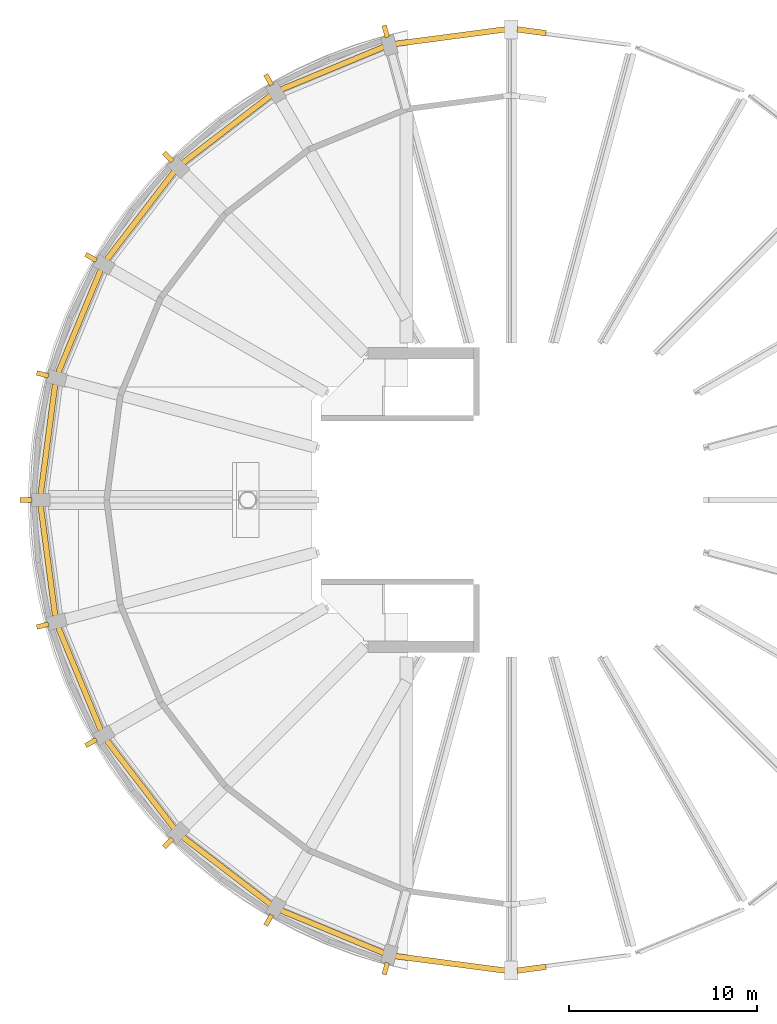
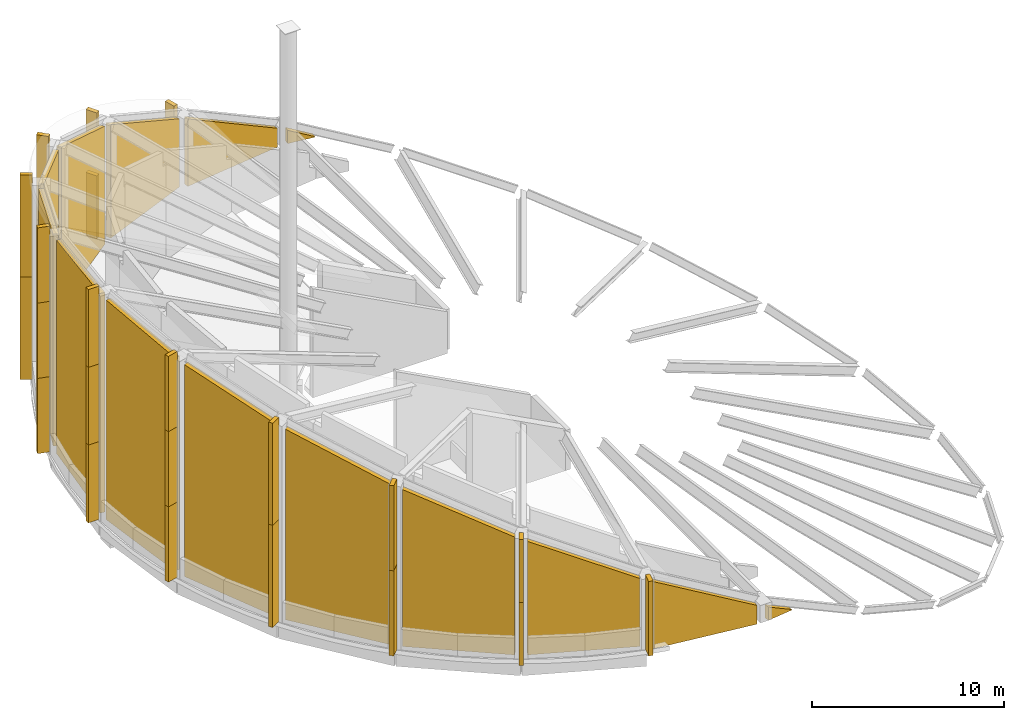
# One storey, part 4 of 4: 23 coverings, 14 shading devices.
"""IFC4 building model written with IfcOpenShell, lengths in metres."""

import ifcopenshell
import ifcopenshell.guid

model = None  # the IFC model being written
_history = None  # IfcOwnerHistory: only IFC2X3 demands one
_inside = {}  # id of a spatial element -> (the spatial element, [elements in it])
_under = {}  # id of a project, library or spatial element -> (it, [spatial elements below it])
_declared = {}  # id of a project -> (the project, [libraries it declares])
_typed = {}  # id of a type object -> (the type object, [elements of that type])
_made_of = {}  # id of a material, layer set ... -> (it, [elements and type objects made of it])


def new_model(schema):
    """Start an empty IFC model of exactly this schema.

    Asked for "IFC4X3", IfcOpenShell would pick the latest addendum, in which some entities
    have other attributes; the version numbers below select the first issue.
    IFC2X3 requires an IfcOwnerHistory on every rooted entity: one is made here for all.
    """
    global model, _history
    if schema == "IFC4X3":
        model = ifcopenshell.file(schema_version=(4, 3, 0, 0))
    else:
        model = ifcopenshell.file(schema=schema)
    _inside.clear()
    _under.clear()
    _declared.clear()
    _typed.clear()
    _made_of.clear()
    _history = None
    if model.schema == "IFC2X3":
        org = make("IfcOrganization", Name="unknown")
        user = make(
            "IfcPersonAndOrganization",
            ThePerson=make("IfcPerson", FamilyName="unknown"),
            TheOrganization=org,
        )
        app = make(
            "IfcApplication",
            ApplicationDeveloper=org,
            Version="unknown",
            ApplicationFullName="unknown",
            ApplicationIdentifier="unknown",
        )
        _history = make(
            "IfcOwnerHistory",
            OwningUser=user,
            OwningApplication=app,
            ChangeAction="ADDED",
            CreationDate=0,
        )
    return model


def make(cls, **values):
    """One entity of the class cls with the attributes given. An attribute that is None is left unset."""
    return model.create_entity(
        cls, **{name: value for name, value in values.items() if value is not None}
    )


def rooted(cls, **values):
    """An entity with a GlobalId (a new one), such as an element, a storey or a relation."""
    return make(cls, GlobalId=ifcopenshell.guid.new(), OwnerHistory=_history, **values)


def si_unit(unit_type, name, prefix=None):
    """IfcSIUnit, for example si_unit("LENGTHUNIT", "METRE", prefix="MILLI")."""
    return make("IfcSIUnit", UnitType=unit_type, Prefix=prefix, Name=name)


def assignment(units):
    """IfcUnitAssignment: the units of a project."""
    return None if units is None else make("IfcUnitAssignment", Units=units)


def point(xyz):
    """IfcCartesianPoint."""
    return None if xyz is None else make("IfcCartesianPoint", Coordinates=xyz)


def direction(xyz):
    """IfcDirection."""
    return None if xyz is None else make("IfcDirection", DirectionRatios=xyz)


def frame(location, z_axis=None, x_axis=None):
    """IfcAxis2Placement3D, a coordinate frame: its origin and axes. An axis left out is left unset."""
    return make(
        "IfcAxis2Placement3D",
        Location=point(location),
        Axis=direction(z_axis),
        RefDirection=direction(x_axis),
    )


def frame_2d(location, x_axis=None):
    """IfcAxis2Placement2D, a coordinate frame in the plane: its origin and x axis."""
    return make(
        "IfcAxis2Placement2D", Location=point(location), RefDirection=direction(x_axis)
    )


def origin():
    """The frame at (0, 0, 0) with its axes left unset."""
    return frame((0.0, 0.0, 0.0))


def origin_2d():
    """The frame at (0, 0) in the plane with its x axis left unset."""
    return frame_2d((0.0, 0.0))


def place(relative_to, where):
    """IfcLocalPlacement: puts the frame where relative to a parent placement (None: the world)."""
    return make(
        "IfcLocalPlacement", PlacementRelTo=relative_to, RelativePlacement=where
    )


def context(
    kind, dimensions, precision=None, world=None, true_north=None, identifier=None
):
    """IfcGeometricRepresentationContext, for example the 3D "Model" context."""
    return make(
        "IfcGeometricRepresentationContext",
        ContextIdentifier=identifier,
        ContextType=kind,
        CoordinateSpaceDimension=dimensions,
        Precision=precision,
        WorldCoordinateSystem=world,
        TrueNorth=true_north,
    )


def subcontext(parent, identifier, kind, view, scale=None):
    """IfcGeometricRepresentationSubContext, for example "Body" below "Model"."""
    return make(
        "IfcGeometricRepresentationSubContext",
        ContextIdentifier=identifier,
        ContextType=kind,
        ParentContext=parent,
        TargetScale=scale,
        TargetView=view,
    )


def project(units=None, contexts=None):
    """IfcProject with its units and contexts."""
    return rooted(
        "IfcProject",
        Name="project",
        RepresentationContexts=contexts,
        UnitsInContext=assignment(units),
    )


def spatial(cls, under=None, at=None, **own):
    """A site, building, storey or space (cls), placed at a placement, below another one or the project."""
    s = rooted(cls, ObjectPlacement=at, **own)
    if under is not None:
        _under.setdefault(under.id(), (under, []))[1].append(s)
    return s


def polyline(points):
    """IfcPolyline through the points."""
    return make("IfcPolyline", Points=[point(p) for p in points])


def profile(cls, at=None, kind="AREA", **sizes):
    """A parametric profile (cls). Its sizes go by their IFC names, for example OverallWidth=200.0."""
    return make(cls, ProfileType=kind, Position=at, **sizes)


def rectangle(**sizes):
    """IfcRectangleProfileDef."""
    return profile("IfcRectangleProfileDef", **sizes)


def outline(outer, holes=None, kind="AREA"):
    """IfcArbitraryClosedProfileDef: a profile drawn as a closed curve; with holes, ...WithVoids."""
    if holes is None:
        return make("IfcArbitraryClosedProfileDef", ProfileType=kind, OuterCurve=outer)
    return make(
        "IfcArbitraryProfileDefWithVoids",
        ProfileType=kind,
        OuterCurve=outer,
        InnerCurves=holes,
    )


def extrude(swept, where, along, depth):
    """IfcExtrudedAreaSolid: the profile swept, set in the frame where, extruded along a direction by depth."""
    return make(
        "IfcExtrudedAreaSolid",
        SweptArea=swept,
        Position=where,
        ExtrudedDirection=direction(along),
        Depth=depth,
    )


def shape(context_of_items, identifier, shape_type, items):
    """IfcShapeRepresentation: the items that make up one representation, for example the "Body"."""
    return make(
        "IfcShapeRepresentation",
        ContextOfItems=context_of_items,
        RepresentationIdentifier=identifier,
        RepresentationType=shape_type,
        Items=items,
    )


def material(Name=None, Category=None):
    """IfcMaterial."""
    return make("IfcMaterial", Name=Name, Category=Category)


def material_profile(
    of_material, cross_section, Name=None, Category=None, Priority=None
):
    """IfcMaterialProfile: a cross section and its material."""
    return make(
        "IfcMaterialProfile",
        Name=Name,
        Material=of_material,
        Profile=cross_section,
        Priority=Priority,
        Category=Category,
    )


def profile_set(profiles, Name=None, composite=None):
    """IfcMaterialProfileSet."""
    return make(
        "IfcMaterialProfileSet",
        Name=Name,
        MaterialProfiles=profiles,
        CompositeProfile=composite,
    )


def made_of(thing, what):
    """Note that an element or type object is made of a material, layer set ...; save() writes the relation."""
    if what is not None:
        _made_of.setdefault(what.id(), (what, []))[1].append(thing)
    return thing


def type_object(cls, material=None, **own):
    """A type object (cls), such as IfcWallType, which elements share."""
    return made_of(rooted(cls, **own), material)


def element(
    cls,
    number,
    at=None,
    inside=None,
    cuts=None,
    type_object=None,
    material=None,
    context=None,
    identifier="Body",
    shape_type=None,
    held_by="IfcProductDefinitionShape",
    body=None,
    shapes=None,
    **own,
):
    """One element of the class cls, such as IfcWall. Its Tag is "e" and its number.

    at: its placement. inside: the storey or other place that contains it. cuts: it is an
    opening in that element (IfcRelVoidsElement). A single representation is given by context,
    identifier, shape_type and body (its items); several are given by shapes. held_by: the class
    of the entity that holds the representations. save() writes the other relations.
    """
    e = rooted(cls, Tag="e%d" % number, ObjectPlacement=at, **own)
    if body is not None:
        shapes = [shape(context, identifier, shape_type, body)]
    if shapes is not None:
        e.Representation = make(held_by, Representations=shapes)
    if inside is not None:
        _inside.setdefault(inside.id(), (inside, []))[1].append(e)
    if cuts is not None:
        rooted(
            "IfcRelVoidsElement", RelatingBuildingElement=cuts, RelatedOpeningElement=e
        )
    if type_object is not None:
        _typed.setdefault(type_object.id(), (type_object, []))[1].append(e)
    return made_of(e, material)


def aggregate(whole, parts):
    """IfcRelAggregates: a whole, such as a stair, and the parts it consists of."""
    return rooted("IfcRelAggregates", RelatingObject=whole, RelatedObjects=parts)


def save(model, path):
    """Write the relations noted so far, then the file.

    IfcRelAggregates (storeys below a building ...), IfcRelContainedInSpatialStructure (elements
    in a storey), IfcRelDefinesByType, IfcRelAssociatesMaterial and IfcRelDeclares: one each for
    every whole, place, type object, material and project.
    """
    for whole, parts in _under.values():
        aggregate(whole, parts)
    for where, things in _inside.values():
        rooted(
            "IfcRelContainedInSpatialStructure",
            RelatedElements=things,
            RelatingStructure=where,
        )
    for kind, things in _typed.values():
        rooted("IfcRelDefinesByType", RelatedObjects=things, RelatingType=kind)
    for what, things in _made_of.values():
        rooted("IfcRelAssociatesMaterial", RelatedObjects=things, RelatingMaterial=what)
    for by, libraries in _declared.values():
        rooted("IfcRelDeclares", RelatingContext=by, RelatedDefinitions=libraries)
    model.write(path)


model = new_model("IFC4")

# Units and contexts
model_context = context("Model", 3, precision=1e-05, world=origin(), true_north=direction((0.0, 1.0)))
body_context = subcontext(model_context, "Body", "Model", "MODEL_VIEW")
ifc_project = project(units=[si_unit("LENGTHUNIT", "METRE"), si_unit("AREAUNIT", "SQUARE_METRE"), si_unit("VOLUMEUNIT", "CUBIC_METRE"), si_unit("PLANEANGLEUNIT", "RADIAN"), si_unit("MASSUNIT", "GRAM", prefix="KILO")], contexts=[model_context])

# Site, building, storey
site_placement = place(None, origin())
site = spatial("IfcSite", under=ifc_project, at=site_placement, CompositionType="ELEMENT")
building_placement = place(site_placement, origin())
building = spatial("IfcBuilding", under=site, at=building_placement, Name="Torre Triforio", CompositionType="ELEMENT")
storey_placement = place(building_placement, frame((0.0, 0.0, 302.800048828125)))
storey = spatial("IfcBuildingStorey", under=building, at=storey_placement, Name="RF-3", CompositionType="ELEMENT", Elevation=302.800048828125)

# Coverings
ifc_material = material(Name="Limestone fin", Category="masonry")
ifc_material_profile = material_profile(ifc_material, rectangle(XDim=0.64990234375, YDim=0.25, at=origin_2d()), Name="FIN 650x250")
ifc_profile_set = profile_set([ifc_material_profile], Name="Limestone fin")
covering_type = type_object("IfcCoveringType", Name="Stone fin 650 x 250", PredefinedType="CLADDING", material=ifc_profile_set)
covering_1_placement = place(storey_placement, frame((-6.671142578125, 24.896728515625, 0.0), z_axis=(0.0, 0.0, 1.0), x_axis=(-0.258819045103, 0.965925826289, 0.0)))
element("IfcCovering", 1, at=covering_1_placement, inside=storey, type_object=covering_type, Name="Stone fin C08 RF-3", PredefinedType="CLADDING", context=body_context, shape_type="SweptSolid", body=[
    extrude(rectangle(XDim=0.64990234375, YDim=0.25, at=origin_2d()), origin(), (0.0, 0.0, 1.0), 4.737060546875),
])
covering_2_placement = place(storey_placement, frame((-12.887451171875, 22.32177734375, 0.0), z_axis=(0.0, 0.0, 1.0), x_axis=(-0.5, 0.866025403784, 0.0)))
element("IfcCovering", 2, at=covering_2_placement, inside=storey, type_object=covering_type, Name="Stone fin C09 RF-3 piece 1", PredefinedType="CLADDING", context=body_context, shape_type="SweptSolid", body=[
    extrude(rectangle(XDim=0.64990234375, YDim=0.25, at=origin_2d()), origin(), (0.0, 0.0, 1.0), 4.003662109375),
])
covering_3_placement = place(storey_placement, frame((-12.887451171875, 22.32177734375, 4.003662109375), z_axis=(0.0, 0.0, 1.0), x_axis=(-0.5, 0.866025403784, 0.0)))
element("IfcCovering", 3, at=covering_3_placement, inside=storey, type_object=covering_type, Name="Stone fin C09 RF-3 piece 2", PredefinedType="CLADDING", context=body_context, shape_type="SweptSolid", body=[
    extrude(rectangle(XDim=0.64990234375, YDim=0.25, at=origin_2d()), origin(), (0.0, 0.0, 1.0), 4.00390625),
])
covering_4_placement = place(storey_placement, frame((-18.2255859375, 18.2255859375, 0.0), z_axis=(0.0, 0.0, 1.0), x_axis=(-0.707106781187, 0.707106781187, 0.0)))
element("IfcCovering", 4, at=covering_4_placement, inside=storey, type_object=covering_type, Name="Stone fin C10 RF-3 piece 1", PredefinedType="CLADDING", context=body_context, shape_type="SweptSolid", body=[
    extrude(rectangle(XDim=0.64990234375, YDim=0.25, at=origin_2d()), origin(), (0.0, 0.0, 1.0), 5.41015625),
])
covering_5_placement = place(storey_placement, frame((-18.2255859375, 18.2255859375, 5.41015625), z_axis=(0.0, 0.0, 1.0), x_axis=(-0.707106781187, 0.707106781187, 0.0)))
element("IfcCovering", 5, at=covering_5_placement, inside=storey, type_object=covering_type, Name="Stone fin C10 RF-3 piece 2", PredefinedType="CLADDING", context=body_context, shape_type="SweptSolid", body=[
    extrude(rectangle(XDim=0.64990234375, YDim=0.25, at=origin_2d()), origin(), (0.0, 0.0, 1.0), 5.410400390625),
])
for number, where, z_axis, x_axis, name in (
    (6, (-22.32177734375, 12.887451171875, 0.0), (0.0, 0.0, 1.0), (-0.866025403784, 0.5, 0.0), "Stone fin C11 RF-3 piece 1"),
    (7, (-22.32177734375, 12.887451171875, 6.492431640625), (0.0, 0.0, 1.0), (-0.866025403784, 0.5, 0.0), "Stone fin C11 RF-3 piece 2"),
):
    element("IfcCovering", number, at=place(storey_placement, frame(where, z_axis=z_axis, x_axis=x_axis)), inside=storey, type_object=covering_type, Name=name, PredefinedType="CLADDING", context=body_context, shape_type="SweptSolid", body=[
        extrude(rectangle(XDim=0.64990234375, YDim=0.25, at=origin_2d()), origin(), (0.0, 0.0, 1.0), 6.492431640625),
    ])
for number, where, z_axis, x_axis, name in (
    (8, (-24.896728515625, 6.671142578125, 0.0), (0.0, 0.0, 1.0), (-0.965925826289, 0.258819045103, 0.0), "Stone fin C12 RF-3 piece 1"),
    (9, (-24.896728515625, 6.671142578125, 4.7841796875), (0.0, 0.0, 1.0), (-0.965925826289, 0.258819045103, 0.0), "Stone fin C12 RF-3 piece 2"),
    (10, (-24.896728515625, 6.671142578125, 9.568359375), (0.0, 0.0, 1.0), (-0.965925826289, 0.258819045103, 0.0), "Stone fin C12 RF-3 piece 3"),
):
    element("IfcCovering", number, at=place(storey_placement, frame(where, z_axis=z_axis, x_axis=x_axis)), inside=storey, type_object=covering_type, Name=name, PredefinedType="CLADDING", context=body_context, shape_type="SweptSolid", body=[
        extrude(rectangle(XDim=0.64990234375, YDim=0.25, at=origin_2d()), origin(), (0.0, 0.0, 1.0), 4.7841796875),
    ])
covering_6_placement = place(storey_placement, frame((-25.77490234375, 0.0, 0.0), z_axis=(0.0, 0.0, 1.0), x_axis=(-1.0, 0.0, 0.0)))
element("IfcCovering", 11, at=covering_6_placement, inside=storey, type_object=covering_type, Name="Stone fin C13 RF-3 piece 1", PredefinedType="CLADDING", context=body_context, shape_type="SweptSolid", body=[
    extrude(rectangle(XDim=0.64990234375, YDim=0.25, at=origin_2d()), origin(), (0.0, 0.0, 1.0), 4.943603515625),
])
covering_7_placement = place(storey_placement, frame((-25.77490234375, 0.0, 4.943603515625), z_axis=(0.0, 0.0, 1.0), x_axis=(-1.0, 0.0, 0.0)))
element("IfcCovering", 12, at=covering_7_placement, inside=storey, type_object=covering_type, Name="Stone fin C13 RF-3 piece 2", PredefinedType="CLADDING", context=body_context, shape_type="SweptSolid", body=[
    extrude(rectangle(XDim=0.64990234375, YDim=0.25, at=origin_2d()), origin(), (0.0, 0.0, 1.0), 4.94384765625),
])
covering_8_placement = place(storey_placement, frame((-25.77490234375, 0.0, 9.887451171875), z_axis=(0.0, 0.0, 1.0), x_axis=(-1.0, 0.0, 0.0)))
element("IfcCovering", 13, at=covering_8_placement, inside=storey, type_object=covering_type, Name="Stone fin C13 RF-3 piece 3", PredefinedType="CLADDING", context=body_context, shape_type="SweptSolid", body=[
    extrude(rectangle(XDim=0.64990234375, YDim=0.25, at=origin_2d()), origin(), (0.0, 0.0, 1.0), 4.943603515625),
])
for number, where, z_axis, x_axis, name in (
    (14, (-24.896728515625, -6.671142578125, 0.0), (0.0, 0.0, 1.0), (-0.965925826289, -0.258819045103, 0.0), "Stone fin C14 RF-3 piece 1"),
    (15, (-24.896728515625, -6.671142578125, 4.7841796875), (0.0, 0.0, 1.0), (-0.965925826289, -0.258819045103, 0.0), "Stone fin C14 RF-3 piece 2"),
    (16, (-24.896728515625, -6.671142578125, 9.568359375), (0.0, 0.0, 1.0), (-0.965925826289, -0.258819045103, 0.0), "Stone fin C14 RF-3 piece 3"),
):
    element("IfcCovering", number, at=place(storey_placement, frame(where, z_axis=z_axis, x_axis=x_axis)), inside=storey, type_object=covering_type, Name=name, PredefinedType="CLADDING", context=body_context, shape_type="SweptSolid", body=[
        extrude(rectangle(XDim=0.64990234375, YDim=0.25, at=origin_2d()), origin(), (0.0, 0.0, 1.0), 4.7841796875),
    ])
for number, where, z_axis, x_axis, name in (
    (17, (-22.32177734375, -12.887451171875, 0.0), (0.0, 0.0, 1.0), (-0.866025403784, -0.5, 0.0), "Stone fin C15 RF-3 piece 1"),
    (18, (-22.32177734375, -12.887451171875, 6.492431640625), (0.0, 0.0, 1.0), (-0.866025403784, -0.5, 0.0), "Stone fin C15 RF-3 piece 2"),
):
    element("IfcCovering", number, at=place(storey_placement, frame(where, z_axis=z_axis, x_axis=x_axis)), inside=storey, type_object=covering_type, Name=name, PredefinedType="CLADDING", context=body_context, shape_type="SweptSolid", body=[
        extrude(rectangle(XDim=0.64990234375, YDim=0.25, at=origin_2d()), origin(), (0.0, 0.0, 1.0), 6.492431640625),
    ])
covering_9_placement = place(storey_placement, frame((-18.2255859375, -18.2255859375, 0.0), z_axis=(0.0, 0.0, 1.0), x_axis=(-0.707106781187, -0.707106781187, 0.0)))
element("IfcCovering", 19, at=covering_9_placement, inside=storey, type_object=covering_type, Name="Stone fin C16 RF-3 piece 1", PredefinedType="CLADDING", context=body_context, shape_type="SweptSolid", body=[
    extrude(rectangle(XDim=0.64990234375, YDim=0.25, at=origin_2d()), origin(), (0.0, 0.0, 1.0), 5.41015625),
])
covering_10_placement = place(storey_placement, frame((-18.2255859375, -18.2255859375, 5.41015625), z_axis=(0.0, 0.0, 1.0), x_axis=(-0.707106781187, -0.707106781187, 0.0)))
element("IfcCovering", 20, at=covering_10_placement, inside=storey, type_object=covering_type, Name="Stone fin C16 RF-3 piece 2", PredefinedType="CLADDING", context=body_context, shape_type="SweptSolid", body=[
    extrude(rectangle(XDim=0.64990234375, YDim=0.25, at=origin_2d()), origin(), (0.0, 0.0, 1.0), 5.410400390625),
])
covering_11_placement = place(storey_placement, frame((-12.887451171875, -22.32177734375, 0.0), z_axis=(0.0, 0.0, 1.0), x_axis=(-0.5, -0.866025403784, 0.0)))
element("IfcCovering", 21, at=covering_11_placement, inside=storey, type_object=covering_type, Name="Stone fin C17 RF-3 piece 1", PredefinedType="CLADDING", context=body_context, shape_type="SweptSolid", body=[
    extrude(rectangle(XDim=0.64990234375, YDim=0.25, at=origin_2d()), origin(), (0.0, 0.0, 1.0), 4.003662109375),
])
covering_12_placement = place(storey_placement, frame((-12.887451171875, -22.32177734375, 4.003662109375), z_axis=(0.0, 0.0, 1.0), x_axis=(-0.5, -0.866025403784, 0.0)))
element("IfcCovering", 22, at=covering_12_placement, inside=storey, type_object=covering_type, Name="Stone fin C17 RF-3 piece 2", PredefinedType="CLADDING", context=body_context, shape_type="SweptSolid", body=[
    extrude(rectangle(XDim=0.64990234375, YDim=0.25, at=origin_2d()), origin(), (0.0, 0.0, 1.0), 4.00390625),
])
covering_13_placement = place(storey_placement, frame((-6.671142578125, -24.896728515625, 0.0), z_axis=(0.0, 0.0, 1.0), x_axis=(-0.258819045103, -0.965925826289, 0.0)))
element("IfcCovering", 23, at=covering_13_placement, inside=storey, type_object=covering_type, Name="Stone fin C18 RF-3", PredefinedType="CLADDING", context=body_context, shape_type="SweptSolid", body=[
    extrude(rectangle(XDim=0.64990234375, YDim=0.25, at=origin_2d()), origin(), (0.0, 0.0, 1.0), 4.737060546875),
])

# Shading devices
shading_device_1_placement = place(storey_placement, frame((-6.779541015625, 24.065185546875, 0.0), z_axis=(0.0, 0.0, 1.0), x_axis=(-0.923884009374, -0.382672624084, 0.0)))
element("IfcShadingDevice", 24, at=shading_device_1_placement, inside=storey, Name="Crown louvre screen RF-3 bay 08", PredefinedType="JALOUSIE", context=body_context, shape_type="SweptSolid", body=[
    extrude(outline(polyline([(0.0, 0.0), (5.891845703125, 0.0), (5.891845703125, 7.217529296875), (0.0, 4.3232421875), (0.0, 0.0)])), frame((0.0, 0.14990234375, 0.0), z_axis=(0.0, -1.0, 0.0), x_axis=(1.0, 0.0, 0.0)), (0.0, 0.0, 1.0), 0.300048828125),
])
shading_device_2_placement = place(storey_placement, frame((-12.777099609375, 21.490478515625, 0.0), z_axis=(0.0, 0.0, 1.0), x_axis=(-0.793358193576, -0.608755104033, 0.0)))
element("IfcShadingDevice", 25, at=shading_device_2_placement, inside=storey, Name="Crown louvre screen RF-3 bay 09", PredefinedType="JALOUSIE", context=body_context, shape_type="SweptSolid", body=[
    extrude(outline(polyline([(0.0, 0.0), (5.891845703125, 0.0), (5.891845703125, 9.9794921875), (0.0, 7.494140625), (0.0, 0.0)])), frame((0.0, 0.14990234375, 0.0), z_axis=(0.0, -1.0, 0.0), x_axis=(1.0, 0.0, 0.0)), (0.0, 0.0, 1.0), 0.300048828125),
])
shading_device_3_placement = place(storey_placement, frame((-17.90380859375, 17.451416015625, 0.0), z_axis=(0.0, 0.0, 1.0), x_axis=(-0.608755104033, -0.793358193576, 0.0)))
element("IfcShadingDevice", 26, at=shading_device_3_placement, inside=storey, Name="Crown louvre screen RF-3 bay 10", PredefinedType="JALOUSIE", context=body_context, shape_type="SweptSolid", body=[
    extrude(outline(polyline([(0.0, 0.0), (5.891845703125, 0.0), (5.891845703125, 12.112548828125), (0.0, 10.20556640625), (0.0, 0.0)])), frame((0.0, 0.14990234375, 0.0), z_axis=(0.0, -1.0, 0.0), x_axis=(1.0, 0.0, 0.0)), (0.0, 0.0, 1.0), 0.300048828125),
])
shading_device_4_placement = place(storey_placement, frame((-21.810546875, 12.222900390625, 0.0), z_axis=(0.0, 0.0, 1.0), x_axis=(-0.382672624084, -0.923884009374, 0.0)))
element("IfcShadingDevice", 27, at=shading_device_4_placement, inside=storey, Name="Crown louvre screen RF-3 bay 11", PredefinedType="JALOUSIE", context=body_context, shape_type="SweptSolid", body=[
    extrude(outline(polyline([(0.0, 0.0), (5.891845703125, 0.0), (5.891845703125, 13.470947265625), (0.0, 12.272216796875), (0.0, 0.0)])), frame((0.0, 0.14990234375, 0.0), z_axis=(0.0, -1.0, 0.0), x_axis=(1.0, 0.0, 0.0)), (0.0, 0.0, 1.0), 0.300048828125),
])
shading_device_5_placement = place(storey_placement, frame((-24.23095703125, 6.161376953125, 0.0), z_axis=(0.0, 0.0, 1.0), x_axis=(-0.130529546201, -0.991444419808, 0.0)))
element("IfcShadingDevice", 28, at=shading_device_5_placement, inside=storey, Name="Crown louvre screen RF-3 bay 12", PredefinedType="JALOUSIE", context=body_context, shape_type="SweptSolid", body=[
    extrude(outline(polyline([(0.0, 0.0), (5.8916015625, 0.0), (5.891845703125, 13.962646484375), (0.0, 13.5537109375), (0.0, 0.0)])), frame((0.0, 0.14990234375, 0.0), z_axis=(0.0, -1.0, 0.0), x_axis=(1.0, 0.0, 0.0)), (0.0, 0.0, 1.0), 0.300048828125),
])
shading_device_6_placement = place(storey_placement, frame((-25.0, -0.320068359375, 0.0), z_axis=(0.0, 0.0, 1.0), x_axis=(0.130529546201, -0.991444419808, 0.0)))
element("IfcShadingDevice", 29, at=shading_device_6_placement, inside=storey, Name="Crown louvre screen RF-3 bay 13", PredefinedType="JALOUSIE", context=body_context, shape_type="SweptSolid", body=[
    extrude(outline(polyline([(0.0, 0.0), (5.8916015625, 0.0), (5.891845703125, 13.5537109375), (0.0, 13.962646484375), (0.0, 0.0)])), frame((0.0, 0.14990234375, 0.0), z_axis=(0.0, -1.0, 0.0), x_axis=(1.0, 0.0, 0.0)), (0.0, 0.0, 1.0), 0.300048828125),
])
shading_device_7_placement = place(storey_placement, frame((-24.065185546875, -6.779541015625, 0.0), z_axis=(0.0, 0.0, 1.0), x_axis=(0.382672624084, -0.923884009374, 0.0)))
element("IfcShadingDevice", 30, at=shading_device_7_placement, inside=storey, Name="Crown louvre screen RF-3 bay 14", PredefinedType="JALOUSIE", context=body_context, shape_type="SweptSolid", body=[
    extrude(outline(polyline([(0.0, 0.0), (5.891845703125, 0.0), (5.891845703125, 12.272216796875), (0.0, 13.470947265625), (0.0, 0.0)])), frame((0.0, 0.14990234375, 0.0), z_axis=(0.0, -1.0, 0.0), x_axis=(1.0, 0.0, 0.0)), (0.0, 0.0, 1.0), 0.300048828125),
])
shading_device_8_placement = place(storey_placement, frame((-21.490478515625, -12.777099609375, 0.0), z_axis=(0.0, 0.0, 1.0), x_axis=(0.608755104033, -0.793358193576, 0.0)))
element("IfcShadingDevice", 31, at=shading_device_8_placement, inside=storey, Name="Crown louvre screen RF-3 bay 15", PredefinedType="JALOUSIE", context=body_context, shape_type="SweptSolid", body=[
    extrude(outline(polyline([(0.0, 0.0), (5.891845703125, 0.0), (5.891845703125, 10.20556640625), (0.0, 12.112548828125), (0.0, 0.0)])), frame((0.0, 0.14990234375, 0.0), z_axis=(0.0, -1.0, 0.0), x_axis=(1.0, 0.0, 0.0)), (0.0, 0.0, 1.0), 0.300048828125),
])
shading_device_9_placement = place(storey_placement, frame((-17.451416015625, -17.90380859375, 0.0), z_axis=(0.0, 0.0, 1.0), x_axis=(0.793358193576, -0.608755104033, 0.0)))
element("IfcShadingDevice", 32, at=shading_device_9_placement, inside=storey, Name="Crown louvre screen RF-3 bay 16", PredefinedType="JALOUSIE", context=body_context, shape_type="SweptSolid", body=[
    extrude(outline(polyline([(0.0, 0.0), (5.891845703125, 0.0), (5.891845703125, 7.494140625), (0.0, 9.9794921875), (0.0, 0.0)])), frame((0.0, 0.14990234375, 0.0), z_axis=(0.0, -1.0, 0.0), x_axis=(1.0, 0.0, 0.0)), (0.0, 0.0, 1.0), 0.300048828125),
])
shading_device_10_placement = place(storey_placement, frame((-12.222900390625, -21.810546875, 0.0), z_axis=(0.0, 0.0, 1.0), x_axis=(0.923884009374, -0.382672624084, 0.0)))
element("IfcShadingDevice", 33, at=shading_device_10_placement, inside=storey, Name="Crown louvre screen RF-3 bay 17", PredefinedType="JALOUSIE", context=body_context, shape_type="SweptSolid", body=[
    extrude(outline(polyline([(0.0, 0.0), (5.891845703125, 0.0), (5.891845703125, 4.3232421875), (0.0, 7.217529296875), (0.0, 0.0)])), frame((0.0, 0.14990234375, 0.0), z_axis=(0.0, -1.0, 0.0), x_axis=(1.0, 0.0, 0.0)), (0.0, 0.0, 1.0), 0.300048828125),
])
shading_device_11_placement = place(storey_placement, frame((1.846923828125, 24.799072265625, -0.280029296875), z_axis=(0.0, 0.0, 1.0), x_axis=(-0.991452137056, 0.130470916021, 0.0)))
element("IfcShadingDevice", 34, at=shading_device_11_placement, inside=storey, Name="Crown louvre screen RF-3 bay 06 east", PredefinedType="JALOUSIE", context=body_context, shape_type="SweptSolid", body=[
    extrude(outline(polyline([(0.0, 0.0), (1.5400390625, 0.0), (1.5400390625, 0.848388671875), (0.0, 0.03662109375), (0.0, 0.0)])), frame((0.0, 0.14990234375, 0.0), z_axis=(0.0, -1.0, 0.0), x_axis=(1.0, 0.0, 0.0)), (0.0, 0.0, 1.0), 0.300048828125),
])
shading_device_12_placement = place(storey_placement, frame((-0.320068359375, 25.0, -0.280029296875), z_axis=(0.0, 0.0, 1.0), x_axis=(-0.991444419808, -0.130529546201, 0.0)))
element("IfcShadingDevice", 35, at=shading_device_12_placement, inside=storey, Name="Crown louvre screen RF-3 bay 07 east", PredefinedType="JALOUSIE", context=body_context, shape_type="SweptSolid", body=[
    extrude(outline(polyline([(0.0, 0.0), (5.8916015625, 0.0), (5.891845703125, 4.294677734375), (0.0, 1.188720703125), (0.0, 0.0)])), frame((0.0, 0.14990234375, 0.0), z_axis=(0.0, -1.0, 0.0), x_axis=(1.0, 0.0, 0.0)), (0.0, 0.0, 1.0), 0.300048828125),
])
shading_device_13_placement = place(storey_placement, frame((-6.161376953125, -24.23095703125, -0.280029296875), z_axis=(0.0, 0.0, 1.0), x_axis=(0.991444419808, -0.130529546201, 0.0)))
element("IfcShadingDevice", 36, at=shading_device_13_placement, inside=storey, Name="Crown louvre screen RF-3 bay 18 east", PredefinedType="JALOUSIE", context=body_context, shape_type="SweptSolid", body=[
    extrude(outline(polyline([(0.0, 0.0), (5.8916015625, 0.0), (5.891845703125, 1.188720703125), (0.0, 4.294677734375), (0.0, 0.0)])), frame((0.0, 0.14990234375, 0.0), z_axis=(0.0, -1.0, 0.0), x_axis=(1.0, 0.0, 0.0)), (0.0, 0.0, 1.0), 0.300048828125),
])
shading_device_14_placement = place(storey_placement, frame((0.320068359375, -25.0, -0.280029296875), z_axis=(0.0, 0.0, 1.0), x_axis=(0.991452137056, 0.130470916021, 0.0)))
element("IfcShadingDevice", 37, at=shading_device_14_placement, inside=storey, Name="Crown louvre screen RF-3 bay 19 east", PredefinedType="JALOUSIE", context=body_context, shape_type="SweptSolid", body=[
    extrude(outline(polyline([(0.0, 0.0), (1.5400390625, 0.0), (1.5400390625, 0.03662109375), (0.0, 0.848388671875), (0.0, 0.0)])), frame((0.0, 0.14990234375, 0.0), z_axis=(0.0, -1.0, 0.0), x_axis=(1.0, 0.0, 0.0)), (0.0, 0.0, 1.0), 0.300048828125),
])

save(model, "model.ifc")
